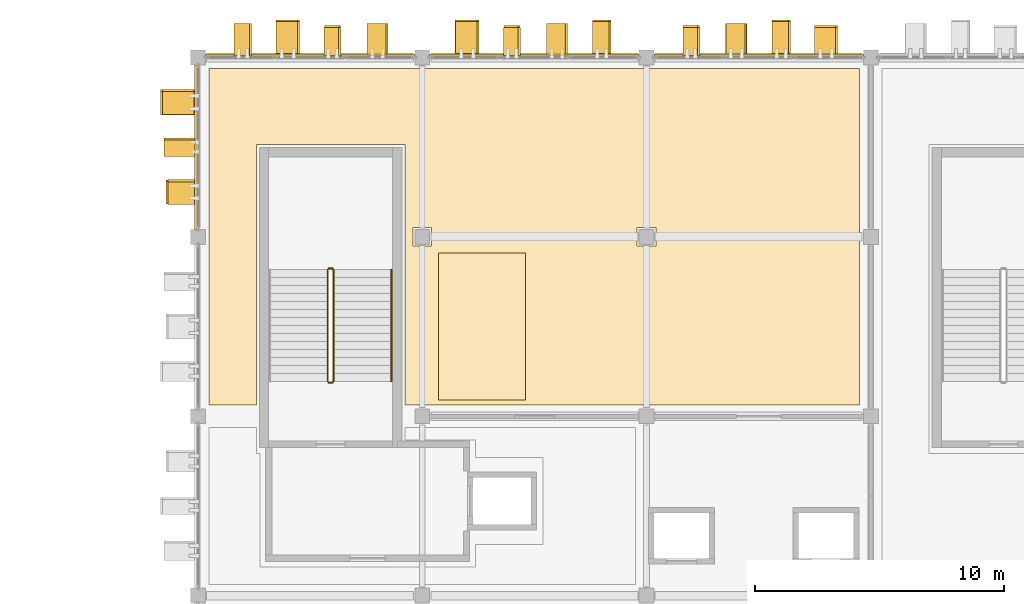
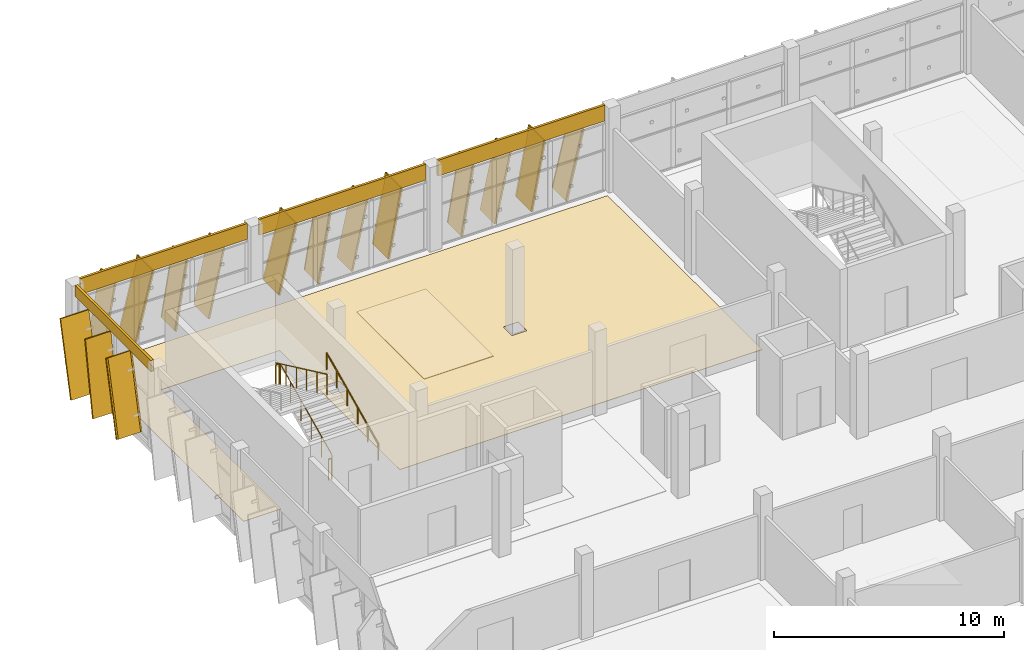
# One storey, part 119 of 124: 21 coverings, 15 shading devices, 5 railings.
"""IFC4 building model written with IfcOpenShell, lengths in metres."""

from ifc_helpers import new_model, si_unit, direction, frame, origin, origin_2d, place, context, subcontext, project, spatial, polyline, rectangle, circle, outline, extrude, material, layer, layer_set, material_profile, profile_set, type_object, element, save


model = new_model("IFC4")

# Units and contexts
model_context = context("Model", 3, precision=1e-05, world=origin(), true_north=direction((0.0, 1.0)))
body_context = subcontext(model_context, "Body", "Model", "MODEL_VIEW")
ifc_project = project(units=[si_unit("LENGTHUNIT", "METRE"), si_unit("AREAUNIT", "SQUARE_METRE"), si_unit("VOLUMEUNIT", "CUBIC_METRE"), si_unit("PLANEANGLEUNIT", "RADIAN"), si_unit("MASSUNIT", "GRAM", prefix="KILO")], contexts=[model_context])

# Site, building, storey
site_placement = place(None, origin())
site = spatial("IfcSite", under=ifc_project, at=site_placement, CompositionType="ELEMENT")
building_placement = place(site_placement, origin())
building = spatial("IfcBuilding", under=site, at=building_placement, Name="Celestram Park Convention Centre", CompositionType="ELEMENT")
storey_placement = place(building_placement, frame((0.0, 0.0, 15.300048828125)))
storey = spatial("IfcBuildingStorey", under=building, at=storey_placement, Name="L03", CompositionType="ELEMENT", Elevation=15.300048828125)

# Coverings
ifc_material_1 = material(Name="Anodised Bronze Aluminium Spandrel Cladding", Category="aluminium")
ifc_layer_1 = layer(ifc_material_1, 0.050048828125)
ifc_layer_set_1 = layer_set([ifc_layer_1], Name="Anodised Bronze Aluminium Spandrel Cladding")
covering_type_1 = type_object("IfcCoveringType", Name="ARC-COV-CLD060", PredefinedType="CLADDING", material=ifc_layer_set_1)
covering_1_placement = place(storey_placement, frame((35.919921875, 162.0, 3.9140625), z_axis=(0.0, 0.0, 1.0), x_axis=(0.0, 1.0, 0.0)))
element("IfcCovering", 1, at=covering_1_placement, inside=storey, type_object=covering_type_1, Name="Bronze spandrel cladding CL-L03-202", PredefinedType="CLADDING", context=body_context, shape_type="SweptSolid", body=[
    extrude(rectangle(XDim=6.60400390625, YDim=0.1201171875, at=origin_2d()), origin(), (0.0, 0.0, 1.0), 0.5859375),
])
for number, where, z_axis, x_axis, name in (
    (2, (40.5, 165.679931640625, 3.65771484375), (0.0, 0.0, 1.0), (1.0, 0.0, 0.0), "Bronze spandrel cladding CL-L03-203"),
    (3, (49.5, 165.679931640625, 3.65771484375), (0.0, 0.0, 1.0), (1.0, 0.0, 0.0), "Bronze spandrel cladding CL-L03-204"),
    (4, (58.5, 165.679931640625, 3.65771484375), (0.0, 0.0, 1.0), (1.0, 0.0, 0.0), "Bronze spandrel cladding CL-L03-205"),
):
    element("IfcCovering", number, at=place(storey_placement, frame(where, z_axis=z_axis, x_axis=x_axis)), inside=storey, type_object=covering_type_1, Name=name, PredefinedType="CLADDING", context=body_context, shape_type="SweptSolid", body=[
        extrude(rectangle(XDim=8.404052734375, YDim=0.1201171875, at=origin_2d()), origin(), (0.0, 0.0, 1.0), 0.842041015625),
    ])
ifc_material_2 = material(Name="Perforated Acoustic Mineral-Fibre Baffle Ceiling", Category="gypsum")
ifc_layer_2 = layer(ifc_material_2, 0.0400390625)
ifc_layer_set_2 = layer_set([ifc_layer_2], Name="Perforated Acoustic Mineral-Fibre Baffle Ceiling")
covering_type_2 = type_object("IfcCoveringType", Name="ARC-COV-CLG040", PredefinedType="CEILING", material=ifc_layer_set_2)
covering_2_placement = place(storey_placement, frame((0.0, 0.0, 4.2099609375)))
element("IfcCovering", 5, at=covering_2_placement, inside=storey, type_object=covering_type_2, Name="Caucus Chamber 303 acoustic baffle ceiling", PredefinedType="CEILING", context=body_context, shape_type="SweptSolid", body=[
    extrude(outline(polyline([(45.64990234375, 151.85009765625), (49.14990234375, 151.85009765625), (49.14990234375, 157.75), (45.64990234375, 157.75), (45.64990234375, 151.85009765625)])), origin(), (0.0, 0.0, 1.0), 0.0400390625),
])
ifc_material_3 = material(Name="Timber-Toned Anodised Aluminium Alloy 6063-T6", Category="wood")
ifc_material_profile_1 = material_profile(ifc_material_3, rectangle(XDim=1.1201171875, YDim=0.090087890625, at=origin_2d()), Name="REED1120X90")
ifc_profile_set_1 = profile_set([ifc_material_profile_1], Name="Timber-Toned Anodised Aluminium Alloy 6063-T6")
covering_type_3 = type_object("IfcCoveringType", Name="ARC-COV-FIN1120", PredefinedType="CLADDING", material=ifc_profile_set_1)
covering_3_placement = place(storey_placement, frame((35.360107421875, 159.75, 0.057861328125), z_axis=(0.0, 0.231767829396, 0.972771130974), x_axis=(-1.0, 0.0, 0.0)))
element("IfcCovering", 6, at=covering_3_placement, inside=storey, type_object=covering_type_3, Name="Leaning timber-toned reed fin RFN-L03-0634", PredefinedType="CLADDING", context=body_context, shape_type="SweptSolid", body=[
    extrude(rectangle(XDim=1.1201171875, YDim=0.090087890625, at=origin_2d()), origin(), (0.0, 0.0, 1.0), 3.8837890625),
])
for number, where, z_axis, x_axis, name in (
    (7, (41.110107421875, 166.239990234375, 0.0283203125), (0.15982482158, 0.0, 0.98714539274), (0.0, 1.0, 0.0), "Leaning timber-toned reed fin RFN-L03-0639"),
    (8, (48.31005859375, 166.239990234375, 0.0283203125), (0.15982482158, 0.0, 0.98714539274), (0.0, 1.0, 0.0), "Leaning timber-toned reed fin RFN-L03-0642"),
    (9, (55.510009765625, 166.239990234375, 0.0283203125), (0.159890396211, 0.0, 0.987134773574), (0.0, 1.0, 0.0), "Leaning timber-toned reed fin RFN-L03-0645"),
    (10, (60.779541015625, 166.239990234375, 0.054443359375), (0.23176912566, 0.0, 0.972770822132), (0.0, 1.0, 0.0), "Leaning timber-toned reed fin RFN-L03-0648"),
):
    element("IfcCovering", number, at=place(storey_placement, frame(where, z_axis=z_axis, x_axis=x_axis)), inside=storey, type_object=covering_type_3, Name=name, PredefinedType="CLADDING", context=body_context, shape_type="SweptSolid", body=[
        extrude(rectangle(XDim=1.1201171875, YDim=0.090087890625, at=origin_2d()), origin(), (0.0, 0.0, 1.0), 3.6279296875),
    ])
ifc_material_profile_2 = material_profile(ifc_material_3, rectangle(XDim=1.280029296875, YDim=0.090087890625, at=origin_2d()), Name="REED1280X90")
ifc_profile_set_2 = profile_set([ifc_material_profile_2], Name="Timber-Toned Anodised Aluminium Alloy 6063-T6")
covering_type_4 = type_object("IfcCoveringType", Name="ARC-COV-FIN1280", PredefinedType="CLADDING", material=ifc_profile_set_2)
covering_4_placement = place(storey_placement, frame((35.280029296875, 161.66943359375, 0.033203125), z_axis=(0.0, 0.170216329286, 0.985406718693), x_axis=(-1.0, 0.0, 0.0)))
element("IfcCovering", 11, at=covering_4_placement, inside=storey, type_object=covering_type_4, Name="Leaning timber-toned reed fin RFN-L03-0635", PredefinedType="CLADDING", context=body_context, shape_type="SweptSolid", body=[
    extrude(rectangle(XDim=1.280029296875, YDim=0.090087890625, at=origin_2d()), origin(), (0.0, 0.0, 1.0), 3.884033203125),
])
for number, where, z_axis, x_axis, name in (
    (12, (37.4912109375, 166.320068359375, 0.031494140625), (0.170256202327, 0.0, 0.985399830307), (0.0, 1.0, 0.0), "Leaning timber-toned reed fin RFN-L03-0637"),
    (13, (42.81982421875, 166.320068359375, 0.045166015625), (0.209556663189, 0.0, 0.977796504858), (0.0, 1.0, 0.0), "Leaning timber-toned reed fin RFN-L03-0640"),
    (14, (50.019775390625, 166.320068359375, 0.045166015625), (0.209621001645, 0.0, 0.977782713935), (0.0, 1.0, 0.0), "Leaning timber-toned reed fin RFN-L03-0643"),
    (15, (57.2197265625, 166.320068359375, 0.045166015625), (0.209621001645, 0.0, 0.977782713935), (0.0, 1.0, 0.0), "Leaning timber-toned reed fin RFN-L03-0646"),
):
    element("IfcCovering", number, at=place(storey_placement, frame(where, z_axis=z_axis, x_axis=x_axis)), inside=storey, type_object=covering_type_4, Name=name, PredefinedType="CLADDING", context=body_context, shape_type="SweptSolid", body=[
        extrude(rectangle(XDim=1.280029296875, YDim=0.090087890625, at=origin_2d()), origin(), (0.0, 0.0, 1.0), 3.6279296875),
    ])
ifc_material_profile_3 = material_profile(ifc_material_3, rectangle(XDim=1.419921875, YDim=0.090087890625, at=origin_2d()), Name="REED1420X90")
ifc_profile_set_3 = profile_set([ifc_material_profile_3], Name="Timber-Toned Anodised Aluminium Alloy 6063-T6")
covering_type_5 = type_object("IfcCoveringType", Name="ARC-COV-FIN1420", PredefinedType="CLADDING", material=ifc_profile_set_3)
covering_5_placement = place(storey_placement, frame((35.2099609375, 163.3369140625, 0.06103515625), z_axis=(0.0, 0.238495612815, 0.971143574693), x_axis=(-1.0, 0.0, 0.0)))
element("IfcCovering", 16, at=covering_5_placement, inside=storey, type_object=covering_type_5, Name="Leaning timber-toned reed fin RFN-L03-0636", PredefinedType="CLADDING", context=body_context, shape_type="SweptSolid", body=[
    extrude(rectangle(XDim=1.419921875, YDim=0.090087890625, at=origin_2d()), origin(), (0.0, 0.0, 1.0), 3.8837890625),
])
for number, where, z_axis, x_axis, name in (
    (17, (39.167236328125, 166.389892578125, 0.057373046875), (0.23855925169, 0.0, 0.971127943905), (0.0, 1.0, 0.0), "Leaning timber-toned reed fin RFN-L03-0638"),
    (18, (46.3671875, 166.389892578125, 0.057373046875), (0.23855925169, 0.0, 0.971127943905), (0.0, 1.0, 0.0), "Leaning timber-toned reed fin RFN-L03-0641"),
):
    element("IfcCovering", number, at=place(storey_placement, frame(where, z_axis=z_axis, x_axis=x_axis)), inside=storey, type_object=covering_type_5, Name=name, PredefinedType="CLADDING", context=body_context, shape_type="SweptSolid", body=[
        extrude(rectangle(XDim=1.419921875, YDim=0.090087890625, at=origin_2d()), origin(), (0.0, 0.0, 1.0), 3.6279296875),
    ])
for number, where, z_axis, x_axis, name in (
    (19, (51.87255859375, 166.389892578125, 0.03466796875), (0.180537273647, 0.0, 0.983568143457), (0.0, 1.0, 0.0), "Leaning timber-toned reed fin RFN-L03-0644"),
    (20, (59.072509765625, 166.389892578125, 0.03466796875), (0.180537273647, 0.0, 0.983568143457), (0.0, 1.0, 0.0), "Leaning timber-toned reed fin RFN-L03-0647"),
):
    element("IfcCovering", number, at=place(storey_placement, frame(where, z_axis=z_axis, x_axis=x_axis)), inside=storey, type_object=covering_type_5, Name=name, PredefinedType="CLADDING", context=body_context, shape_type="SweptSolid", body=[
        extrude(rectangle(XDim=1.419921875, YDim=0.090087890625, at=origin_2d()), origin(), (0.0, 0.0, 1.0), 3.628173828125),
    ])
ifc_material_4 = material(Name="Polished Lakefront Aggregate Terrazzo Flooring", Category="concrete")
ifc_layer_3 = layer(ifc_material_4, 0.02001953125)
ifc_layer_set_3 = layer_set([ifc_layer_3], Name="Polished Lakefront Aggregate Terrazzo Flooring")
covering_type_6 = type_object("IfcCoveringType", Name="ARC-COV-FLR020", PredefinedType="FLOORING", material=ifc_layer_set_3)
covering_6_placement = place(storey_placement, origin())
element("IfcCovering", 21, at=covering_6_placement, inside=storey, type_object=covering_type_6, Name="Caucus Chamber 303 terrazzo flooring", PredefinedType="FLOORING", context=body_context, shape_type="SweptSolid", body=[
    extrude(outline(polyline([(62.550048828125, 165.14990234375), (62.550048828125, 151.64990234375), (44.300048828125, 151.64990234375), (44.300048828125, 162.10009765625), (38.340087890625, 162.10009765625), (38.340087890625, 151.64990234375), (36.449951171875, 151.64990234375), (36.449951171875, 165.14990234375), (62.550048828125, 165.14990234375)]), holes=[polyline([(44.6220703125, 158.778076171875), (44.6220703125, 158.02197265625), (45.3779296875, 158.02197265625), (45.3779296875, 158.778076171875), (44.6220703125, 158.778076171875)]), polyline([(53.6220703125, 158.778076171875), (53.6220703125, 158.02197265625), (54.3779296875, 158.02197265625), (54.3779296875, 158.778076171875), (53.6220703125, 158.778076171875)])]), origin(), (0.0, 0.0, 1.0), 0.02001953125),
])

# Shading devices
ifc_material_5 = material(Name="Anodised Bronze Aluminium Alloy 6063-T6", Category="aluminium")
ifc_material_profile_4 = material_profile(ifc_material_5, rectangle(XDim=1.280029296875, YDim=0.080078125, at=origin_2d()), Name="FIN1280X80")
ifc_profile_set_4 = profile_set([ifc_material_profile_4], Name="Anodised Bronze Aluminium Alloy 6063-T6")
shading_device_type = type_object("IfcShadingDeviceType", Name="ARC-FIN-BZ1280", PredefinedType="USERDEFINED", material=ifc_profile_set_4)
shading_device_1_placement = place(storey_placement, frame((35.360107421875, 159.75, 0.057861328125), z_axis=(0.0, 0.231767829396, 0.972771130974), x_axis=(-1.0, 0.0, 0.0)))
element("IfcShadingDevice", 22, at=shading_device_1_placement, inside=storey, type_object=shading_device_type, Name="Expressive solar fin FN-L03-0634", ObjectType="SOLAR_FIN", PredefinedType="USERDEFINED", context=body_context, shape_type="SweptSolid", body=[
    extrude(rectangle(XDim=1.280029296875, YDim=0.080078125, at=origin_2d()), origin(), (0.0, 0.0, 1.0), 3.8837890625),
])
shading_device_2_placement = place(storey_placement, frame((35.280029296875, 161.66943359375, 0.033203125), z_axis=(0.0, 0.170216329286, 0.985406718693), x_axis=(-1.0, 0.0, 0.0)))
element("IfcShadingDevice", 23, at=shading_device_2_placement, inside=storey, type_object=shading_device_type, Name="Expressive solar fin FN-L03-0635", ObjectType="SOLAR_FIN", PredefinedType="USERDEFINED", context=body_context, shape_type="SweptSolid", body=[
    extrude(rectangle(XDim=1.280029296875, YDim=0.080078125, at=origin_2d()), origin(), (0.0, 0.0, 1.0), 3.884033203125),
])
shading_device_3_placement = place(storey_placement, frame((35.2099609375, 163.3369140625, 0.06103515625), z_axis=(0.0, 0.238495612815, 0.971143574693), x_axis=(-1.0, 0.0, 0.0)))
element("IfcShadingDevice", 24, at=shading_device_3_placement, inside=storey, type_object=shading_device_type, Name="Expressive solar fin FN-L03-0636", ObjectType="SOLAR_FIN", PredefinedType="USERDEFINED", context=body_context, shape_type="SweptSolid", body=[
    extrude(rectangle(XDim=1.280029296875, YDim=0.080078125, at=origin_2d()), origin(), (0.0, 0.0, 1.0), 3.8837890625),
])
for number, where, z_axis, x_axis, name in (
    (25, (37.4912109375, 166.320068359375, 0.031494140625), (0.170256202327, 0.0, 0.985399830307), (0.0, 1.0, 0.0), "Expressive solar fin FN-L03-0637"),
    (26, (39.167236328125, 166.389892578125, 0.057373046875), (0.23855925169, 0.0, 0.971127943905), (0.0, 1.0, 0.0), "Expressive solar fin FN-L03-0638"),
    (27, (41.110107421875, 166.239990234375, 0.0283203125), (0.15982482158, 0.0, 0.98714539274), (0.0, 1.0, 0.0), "Expressive solar fin FN-L03-0639"),
    (28, (42.81982421875, 166.320068359375, 0.045166015625), (0.209556663189, 0.0, 0.977796504858), (0.0, 1.0, 0.0), "Expressive solar fin FN-L03-0640"),
    (29, (46.3671875, 166.389892578125, 0.057373046875), (0.23855925169, 0.0, 0.971127943905), (0.0, 1.0, 0.0), "Expressive solar fin FN-L03-0641"),
    (30, (48.31005859375, 166.239990234375, 0.0283203125), (0.15982482158, 0.0, 0.98714539274), (0.0, 1.0, 0.0), "Expressive solar fin FN-L03-0642"),
    (31, (50.019775390625, 166.320068359375, 0.045166015625), (0.209621001645, 0.0, 0.977782713935), (0.0, 1.0, 0.0), "Expressive solar fin FN-L03-0643"),
):
    element("IfcShadingDevice", number, at=place(storey_placement, frame(where, z_axis=z_axis, x_axis=x_axis)), inside=storey, type_object=shading_device_type, Name=name, ObjectType="SOLAR_FIN", PredefinedType="USERDEFINED", context=body_context, shape_type="SweptSolid", body=[
        extrude(rectangle(XDim=1.280029296875, YDim=0.080078125, at=origin_2d()), origin(), (0.0, 0.0, 1.0), 3.6279296875),
    ])
shading_device_4_placement = place(storey_placement, frame((51.87255859375, 166.389892578125, 0.03466796875), z_axis=(0.180537273647, 0.0, 0.983568143457), x_axis=(0.0, 1.0, 0.0)))
element("IfcShadingDevice", 32, at=shading_device_4_placement, inside=storey, type_object=shading_device_type, Name="Expressive solar fin FN-L03-0644", ObjectType="SOLAR_FIN", PredefinedType="USERDEFINED", context=body_context, shape_type="SweptSolid", body=[
    extrude(rectangle(XDim=1.280029296875, YDim=0.080078125, at=origin_2d()), origin(), (0.0, 0.0, 1.0), 3.628173828125),
])
for number, where, z_axis, x_axis, name in (
    (33, (55.510009765625, 166.239990234375, 0.0283203125), (0.159890396211, 0.0, 0.987134773574), (0.0, 1.0, 0.0), "Expressive solar fin FN-L03-0645"),
    (34, (57.2197265625, 166.320068359375, 0.045166015625), (0.209621001645, 0.0, 0.977782713935), (0.0, 1.0, 0.0), "Expressive solar fin FN-L03-0646"),
):
    element("IfcShadingDevice", number, at=place(storey_placement, frame(where, z_axis=z_axis, x_axis=x_axis)), inside=storey, type_object=shading_device_type, Name=name, ObjectType="SOLAR_FIN", PredefinedType="USERDEFINED", context=body_context, shape_type="SweptSolid", body=[
        extrude(rectangle(XDim=1.280029296875, YDim=0.080078125, at=origin_2d()), origin(), (0.0, 0.0, 1.0), 3.6279296875),
    ])
shading_device_5_placement = place(storey_placement, frame((59.072509765625, 166.389892578125, 0.03466796875), z_axis=(0.180537273647, 0.0, 0.983568143457), x_axis=(0.0, 1.0, 0.0)))
element("IfcShadingDevice", 35, at=shading_device_5_placement, inside=storey, type_object=shading_device_type, Name="Expressive solar fin FN-L03-0647", ObjectType="SOLAR_FIN", PredefinedType="USERDEFINED", context=body_context, shape_type="SweptSolid", body=[
    extrude(rectangle(XDim=1.280029296875, YDim=0.080078125, at=origin_2d()), origin(), (0.0, 0.0, 1.0), 3.628173828125),
])
shading_device_6_placement = place(storey_placement, frame((60.779541015625, 166.239990234375, 0.054443359375), z_axis=(0.23176912566, 0.0, 0.972770822132), x_axis=(0.0, 1.0, 0.0)))
element("IfcShadingDevice", 36, at=shading_device_6_placement, inside=storey, type_object=shading_device_type, Name="Expressive solar fin FN-L03-0648", ObjectType="SOLAR_FIN", PredefinedType="USERDEFINED", context=body_context, shape_type="SweptSolid", body=[
    extrude(rectangle(XDim=1.280029296875, YDim=0.080078125, at=origin_2d()), origin(), (0.0, 0.0, 1.0), 3.6279296875),
])

# Railings
ifc_material_6 = material(Name="Stainless Steel AISI 316L & Laminated Glass", Category="steel")
ifc_layer_4 = layer(ifc_material_6, 0.06005859375)
ifc_layer_set_4 = layer_set([ifc_layer_4], Name="Stainless Steel AISI 316L & Laminated Glass")
railing_type_1 = type_object("IfcRailingType", Name="ARC-RL-GRD1120", PredefinedType="GUARDRAIL", material=ifc_layer_set_4)
railing_1_placement = place(storey_placement, frame((41.43603515625, 152.60009765625, 0.14990234375)))
element("IfcRailing", 37, at=railing_1_placement, inside=storey, type_object=railing_type_1, Name="L03 ST-01 stair guard 1", PredefinedType="GUARDRAIL", context=body_context, shape_type="SweptSolid", body=[
    extrude(circle(Radius=0.02392578125, at=origin_2d()), frame((0.0, 0.0, 1.09619140625), z_axis=(0.0, 0.905450639465, 0.424451574969), x_axis=(-1.0, 0.0, 0.0)), (0.0, 0.0, 1.0), 4.94775390625),
    extrude(circle(Radius=0.02099609375, at=origin_2d()), origin(), (0.0, 0.0, 1.0), 1.072021484375),
    extrude(circle(Radius=0.02099609375, at=origin_2d()), frame((0.0, 0.89599609375, 0.419921875)), (0.0, 0.0, 1.0), 1.072021484375),
    extrude(circle(Radius=0.02099609375, at=origin_2d()), frame((0.0, 1.7919921875, 0.840087890625)), (0.0, 0.0, 1.0), 1.072021484375),
    extrude(circle(Radius=0.02099609375, at=origin_2d()), frame((0.0, 2.68798828125, 1.260009765625)), (0.0, 0.0, 1.0), 1.072021484375),
    extrude(circle(Radius=0.02099609375, at=origin_2d()), frame((0.0, 3.583984375, 1.68017578125)), (0.0, 0.0, 1.0), 1.072021484375),
    extrude(circle(Radius=0.02099609375, at=origin_2d()), frame((0.0, 4.47998046875, 2.10009765625)), (0.0, 0.0, 1.0), 1.072021484375),
])
railing_2_placement = place(storey_placement, frame((41.39990234375, 157.1298828125, 2.25)))
element("IfcRailing", 38, at=railing_2_placement, inside=storey, type_object=railing_type_1, Name="L03 ST-01 stair guard 2", PredefinedType="GUARDRAIL", context=body_context, shape_type="SweptSolid", body=[
    extrude(circle(Radius=0.02392578125, at=origin_2d()), frame((0.0, 0.0, 1.09619140625), z_axis=(-1.0, 0.0, 0.0), x_axis=(0.0, -1.0, 0.0)), (0.0, 0.0, 1.0), 0.159912109375),
    extrude(circle(Radius=0.02099609375, at=origin_2d()), origin(), (0.0, 0.0, 1.0), 1.072021484375),
    extrude(circle(Radius=0.02099609375, at=origin_2d()), frame((-0.159912109375, 0.0, 0.0)), (0.0, 0.0, 1.0), 1.072021484375),
])
railing_3_placement = place(storey_placement, frame((41.2041015625, 157.080078125, 2.39990234375)))
element("IfcRailing", 39, at=railing_3_placement, inside=storey, type_object=railing_type_1, Name="L03 ST-01 stair guard 3", PredefinedType="GUARDRAIL", context=body_context, shape_type="SweptSolid", body=[
    extrude(circle(Radius=0.02392578125, at=origin_2d()), frame((0.0, 0.0, 1.09619140625), z_axis=(0.0, -0.905450639465, 0.424451574969), x_axis=(1.0, 0.0, 0.0)), (0.0, 0.0, 1.0), 4.94775390625),
    extrude(circle(Radius=0.02099609375, at=origin_2d()), origin(), (0.0, 0.0, 1.0), 1.072021484375),
    extrude(circle(Radius=0.02099609375, at=origin_2d()), frame((0.0, -0.89599609375, 0.419921875)), (0.0, 0.0, 1.0), 1.072021484375),
    extrude(circle(Radius=0.02099609375, at=origin_2d()), frame((0.0, -1.7919921875, 0.840087890625)), (0.0, 0.0, 1.0), 1.072021484375),
    extrude(circle(Radius=0.02099609375, at=origin_2d()), frame((0.0, -2.68798828125, 1.260009765625)), (0.0, 0.0, 1.0), 1.072021484375),
    extrude(circle(Radius=0.02099609375, at=origin_2d()), frame((0.0, -3.583984375, 1.68017578125)), (0.0, 0.0, 1.0), 1.072021484375),
    extrude(circle(Radius=0.02099609375, at=origin_2d()), frame((0.0, -4.47998046875, 2.10009765625)), (0.0, 0.0, 1.0), 1.072021484375),
])
railing_4_placement = place(storey_placement, frame((41.39990234375, 152.550048828125, 0.0)))
element("IfcRailing", 40, at=railing_4_placement, inside=storey, type_object=railing_type_1, Name="L03 ST-01 stair guard 4", PredefinedType="GUARDRAIL", context=body_context, shape_type="SweptSolid", body=[
    extrude(circle(Radius=0.02392578125, at=origin_2d()), frame((0.0, 0.0, 1.09619140625), z_axis=(-1.0, 0.0, 0.0), x_axis=(0.0, -1.0, 0.0)), (0.0, 0.0, 1.0), 0.159912109375),
    extrude(circle(Radius=0.02099609375, at=origin_2d()), origin(), (0.0, 0.0, 1.0), 1.072021484375),
    extrude(circle(Radius=0.02099609375, at=origin_2d()), frame((-0.159912109375, 0.0, 0.0)), (0.0, 0.0, 1.0), 1.072021484375),
])
ifc_material_7 = material(Name="Brushed Stainless Steel AISI 304", Category="steel")
ifc_layer_5 = layer(ifc_material_7, 0.048095703125)
ifc_layer_set_5 = layer_set([ifc_layer_5], Name="Brushed Stainless Steel AISI 304")
railing_type_2 = type_object("IfcRailingType", Name="ARC-RL-HND915", PredefinedType="HANDRAIL", material=ifc_layer_set_5)
railing_5_placement = place(storey_placement, frame((43.763916015625, 152.60009765625, 0.14990234375)))
element("IfcRailing", 41, at=railing_5_placement, inside=storey, type_object=railing_type_2, Name="L03 ST-01 stair handrail 1", PredefinedType="HANDRAIL", context=body_context, shape_type="SweptSolid", body=[
    extrude(circle(Radius=0.02392578125, at=origin_2d()), frame((0.0, 0.0, 0.8759765625), z_axis=(0.0, 0.905450639465, 0.424451574969), x_axis=(-1.0, 0.0, 0.0)), (0.0, 0.0, 1.0), 4.94775390625),
    extrude(circle(Radius=0.02099609375, at=origin_2d()), origin(), (0.0, 0.0, 1.0), 0.851806640625),
    extrude(circle(Radius=0.02099609375, at=origin_2d()), frame((0.0, 0.89599609375, 0.419921875)), (0.0, 0.0, 1.0), 0.851806640625),
    extrude(circle(Radius=0.02099609375, at=origin_2d()), frame((0.0, 1.7919921875, 0.840087890625)), (0.0, 0.0, 1.0), 0.851806640625),
    extrude(circle(Radius=0.02099609375, at=origin_2d()), frame((0.0, 2.68798828125, 1.260009765625)), (0.0, 0.0, 1.0), 0.851806640625),
    extrude(circle(Radius=0.02099609375, at=origin_2d()), frame((0.0, 3.583984375, 1.68017578125)), (0.0, 0.0, 1.0), 0.851806640625),
    extrude(circle(Radius=0.02099609375, at=origin_2d()), frame((0.0, 4.47998046875, 2.10009765625)), (0.0, 0.0, 1.0), 0.851806640625),
])

save(model, "model.ifc")
